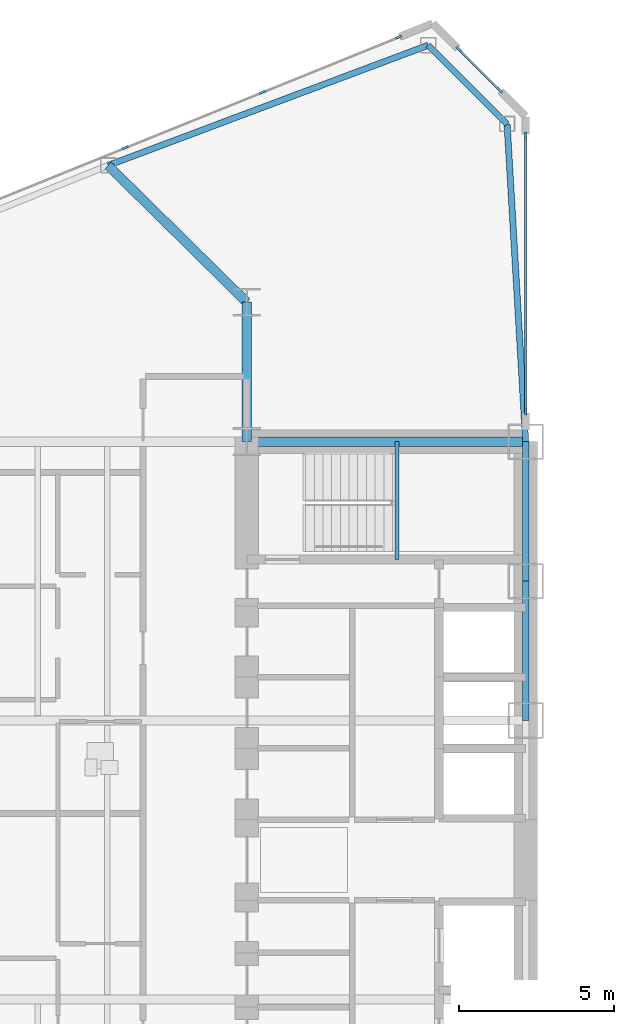
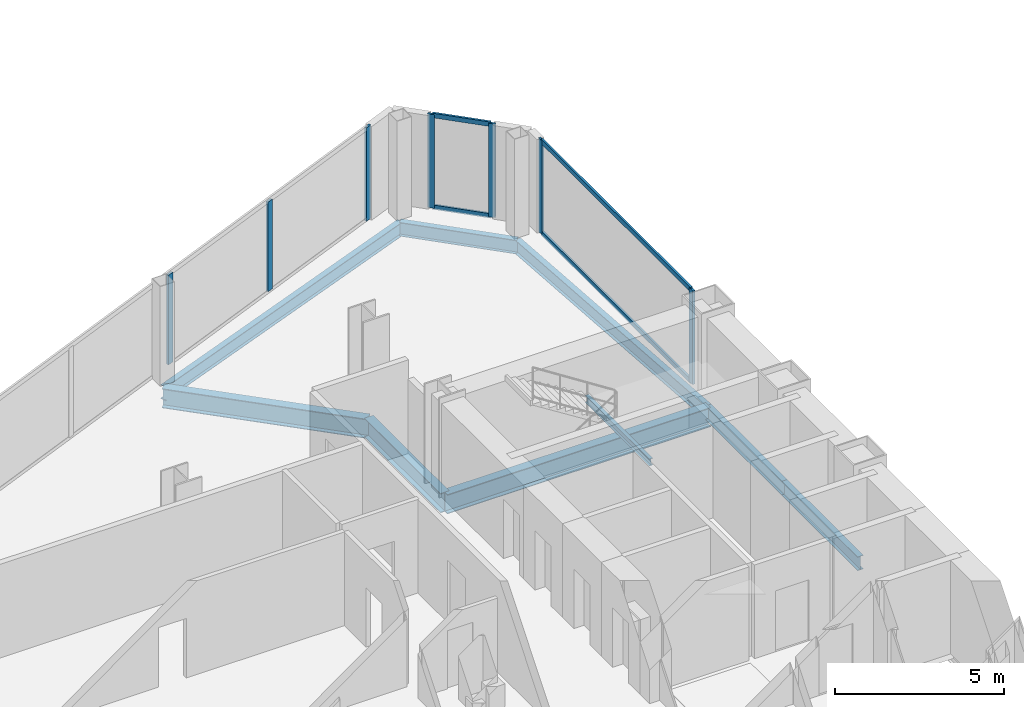
# One storey, part 8 of 25: 11 members, 9 beams, 3 elements without a shape of their own.
"""IFC4 building model written with IfcOpenShell, lengths in metres."""

import ifcopenshell
import ifcopenshell.guid

model = None  # the IFC model being written
_history = None  # IfcOwnerHistory: only IFC2X3 demands one
_inside = {}  # id of a spatial element -> (the spatial element, [elements in it])
_under = {}  # id of a project, library or spatial element -> (it, [spatial elements below it])
_declared = {}  # id of a project -> (the project, [libraries it declares])
_typed = {}  # id of a type object -> (the type object, [elements of that type])
_made_of = {}  # id of a material, layer set ... -> (it, [elements and type objects made of it])


def new_model(schema):
    """Start an empty IFC model of exactly this schema.

    Asked for "IFC4X3", IfcOpenShell would pick the latest addendum, in which some entities
    have other attributes; the version numbers below select the first issue.
    IFC2X3 requires an IfcOwnerHistory on every rooted entity: one is made here for all.
    """
    global model, _history
    if schema == "IFC4X3":
        model = ifcopenshell.file(schema_version=(4, 3, 0, 0))
    else:
        model = ifcopenshell.file(schema=schema)
    _inside.clear()
    _under.clear()
    _declared.clear()
    _typed.clear()
    _made_of.clear()
    _history = None
    if model.schema == "IFC2X3":
        org = make("IfcOrganization", Name="unknown")
        user = make(
            "IfcPersonAndOrganization",
            ThePerson=make("IfcPerson", FamilyName="unknown"),
            TheOrganization=org,
        )
        app = make(
            "IfcApplication",
            ApplicationDeveloper=org,
            Version="unknown",
            ApplicationFullName="unknown",
            ApplicationIdentifier="unknown",
        )
        _history = make(
            "IfcOwnerHistory",
            OwningUser=user,
            OwningApplication=app,
            ChangeAction="ADDED",
            CreationDate=0,
        )
    return model


def make(cls, **values):
    """One entity of the class cls with the attributes given. An attribute that is None is left unset."""
    return model.create_entity(
        cls, **{name: value for name, value in values.items() if value is not None}
    )


def rooted(cls, **values):
    """An entity with a GlobalId (a new one), such as an element, a storey or a relation."""
    return make(cls, GlobalId=ifcopenshell.guid.new(), OwnerHistory=_history, **values)


def si_unit(unit_type, name, prefix=None):
    """IfcSIUnit, for example si_unit("LENGTHUNIT", "METRE", prefix="MILLI")."""
    return make("IfcSIUnit", UnitType=unit_type, Prefix=prefix, Name=name)


def assignment(units):
    """IfcUnitAssignment: the units of a project."""
    return None if units is None else make("IfcUnitAssignment", Units=units)


def point(xyz):
    """IfcCartesianPoint."""
    return None if xyz is None else make("IfcCartesianPoint", Coordinates=xyz)


def direction(xyz):
    """IfcDirection."""
    return None if xyz is None else make("IfcDirection", DirectionRatios=xyz)


def frame(location, z_axis=None, x_axis=None):
    """IfcAxis2Placement3D, a coordinate frame: its origin and axes. An axis left out is left unset."""
    return make(
        "IfcAxis2Placement3D",
        Location=point(location),
        Axis=direction(z_axis),
        RefDirection=direction(x_axis),
    )


def frame_2d(location, x_axis=None):
    """IfcAxis2Placement2D, a coordinate frame in the plane: its origin and x axis."""
    return make(
        "IfcAxis2Placement2D", Location=point(location), RefDirection=direction(x_axis)
    )


def origin():
    """The frame at (0, 0, 0) with its axes left unset."""
    return frame((0.0, 0.0, 0.0))


def origin_2d():
    """The frame at (0, 0) in the plane with its x axis left unset."""
    return frame_2d((0.0, 0.0))


def place(relative_to, where):
    """IfcLocalPlacement: puts the frame where relative to a parent placement (None: the world)."""
    return make(
        "IfcLocalPlacement", PlacementRelTo=relative_to, RelativePlacement=where
    )


def context(
    kind, dimensions, precision=None, world=None, true_north=None, identifier=None
):
    """IfcGeometricRepresentationContext, for example the 3D "Model" context."""
    return make(
        "IfcGeometricRepresentationContext",
        ContextIdentifier=identifier,
        ContextType=kind,
        CoordinateSpaceDimension=dimensions,
        Precision=precision,
        WorldCoordinateSystem=world,
        TrueNorth=true_north,
    )


def subcontext(parent, identifier, kind, view, scale=None):
    """IfcGeometricRepresentationSubContext, for example "Body" below "Model"."""
    return make(
        "IfcGeometricRepresentationSubContext",
        ContextIdentifier=identifier,
        ContextType=kind,
        ParentContext=parent,
        TargetScale=scale,
        TargetView=view,
    )


def project(units=None, contexts=None):
    """IfcProject with its units and contexts."""
    return rooted(
        "IfcProject",
        Name="project",
        RepresentationContexts=contexts,
        UnitsInContext=assignment(units),
    )


def spatial(cls, under=None, at=None, **own):
    """A site, building, storey or space (cls), placed at a placement, below another one or the project."""
    s = rooted(cls, ObjectPlacement=at, **own)
    if under is not None:
        _under.setdefault(under.id(), (under, []))[1].append(s)
    return s


def profile(cls, at=None, kind="AREA", **sizes):
    """A parametric profile (cls). Its sizes go by their IFC names, for example OverallWidth=200.0."""
    return make(cls, ProfileType=kind, Position=at, **sizes)


def rectangle(**sizes):
    """IfcRectangleProfileDef."""
    return profile("IfcRectangleProfileDef", **sizes)


def i_section(**sizes):
    """IfcIShapeProfileDef."""
    return profile("IfcIShapeProfileDef", **sizes)


def extrude(swept, where, along, depth):
    """IfcExtrudedAreaSolid: the profile swept, set in the frame where, extruded along a direction by depth."""
    return make(
        "IfcExtrudedAreaSolid",
        SweptArea=swept,
        Position=where,
        ExtrudedDirection=direction(along),
        Depth=depth,
    )


def shape(context_of_items, identifier, shape_type, items):
    """IfcShapeRepresentation: the items that make up one representation, for example the "Body"."""
    return make(
        "IfcShapeRepresentation",
        ContextOfItems=context_of_items,
        RepresentationIdentifier=identifier,
        RepresentationType=shape_type,
        Items=items,
    )


def source(mapping_origin, context_of_items, identifier, shape_type, items):
    """IfcRepresentationMap: a shape defined once, which mapped items show again and again."""
    return make(
        "IfcRepresentationMap",
        MappingOrigin=mapping_origin,
        MappedRepresentation=shape(context_of_items, identifier, shape_type, items),
    )


def transform(
    local_origin,
    x_axis=None,
    y_axis=None,
    z_axis=None,
    scale=None,
    scale2=None,
    scale3=None,
    uniform=True,
):
    """IfcCartesianTransformationOperator3D, or its non-uniform kind. x_axis, y_axis, z_axis: its Axis1, 2, 3."""
    if uniform:
        return make(
            "IfcCartesianTransformationOperator3D",
            Axis1=direction(x_axis),
            Axis2=direction(y_axis),
            LocalOrigin=point(local_origin),
            Scale=scale,
            Axis3=direction(z_axis),
        )
    return make(
        "IfcCartesianTransformationOperator3DnonUniform",
        Axis1=direction(x_axis),
        Axis2=direction(y_axis),
        LocalOrigin=point(local_origin),
        Scale=scale,
        Axis3=direction(z_axis),
        Scale2=scale2,
        Scale3=scale3,
    )


def mapped(mapping_source, mapping_target):
    """IfcMappedItem: shows the shape of a source again, moved by a transform."""
    return make(
        "IfcMappedItem", MappingSource=mapping_source, MappingTarget=mapping_target
    )


def material(Name=None, Category=None):
    """IfcMaterial."""
    return make("IfcMaterial", Name=Name, Category=Category)


def layer(
    of_material, thickness, ventilated=None, Name=None, Category=None, Priority=None
):
    """IfcMaterialLayer: one layer of a wall or slab, of a material (None: an air gap)."""
    return make(
        "IfcMaterialLayer",
        Material=of_material,
        LayerThickness=thickness,
        IsVentilated=ventilated,
        Name=Name,
        Category=Category,
        Priority=Priority,
    )


def layer_set(layers, Name=None):
    """IfcMaterialLayerSet."""
    return make("IfcMaterialLayerSet", MaterialLayers=layers, LayerSetName=Name)


def material_profile(
    of_material, cross_section, Name=None, Category=None, Priority=None
):
    """IfcMaterialProfile: a cross section and its material."""
    return make(
        "IfcMaterialProfile",
        Name=Name,
        Material=of_material,
        Profile=cross_section,
        Priority=Priority,
        Category=Category,
    )


def profile_set(profiles, Name=None, composite=None):
    """IfcMaterialProfileSet."""
    return make(
        "IfcMaterialProfileSet",
        Name=Name,
        MaterialProfiles=profiles,
        CompositeProfile=composite,
    )


def made_of(thing, what):
    """Note that an element or type object is made of a material, layer set ...; save() writes the relation."""
    if what is not None:
        _made_of.setdefault(what.id(), (what, []))[1].append(thing)
    return thing


def type_object(cls, material=None, **own):
    """A type object (cls), such as IfcWallType, which elements share."""
    return made_of(rooted(cls, **own), material)


def type_shapes(of_type, sources):
    """Give a type object the sources (RepresentationMaps) that its elements show as mapped items."""
    of_type.RepresentationMaps = sources


def element(
    cls,
    number,
    at=None,
    inside=None,
    cuts=None,
    type_object=None,
    material=None,
    context=None,
    identifier="Body",
    shape_type=None,
    held_by="IfcProductDefinitionShape",
    body=None,
    shapes=None,
    **own,
):
    """One element of the class cls, such as IfcWall. Its Tag is "e" and its number.

    at: its placement. inside: the storey or other place that contains it. cuts: it is an
    opening in that element (IfcRelVoidsElement). A single representation is given by context,
    identifier, shape_type and body (its items); several are given by shapes. held_by: the class
    of the entity that holds the representations. save() writes the other relations.
    """
    e = rooted(cls, Tag="e%d" % number, ObjectPlacement=at, **own)
    if body is not None:
        shapes = [shape(context, identifier, shape_type, body)]
    if shapes is not None:
        e.Representation = make(held_by, Representations=shapes)
    if inside is not None:
        _inside.setdefault(inside.id(), (inside, []))[1].append(e)
    if cuts is not None:
        rooted(
            "IfcRelVoidsElement", RelatingBuildingElement=cuts, RelatedOpeningElement=e
        )
    if type_object is not None:
        _typed.setdefault(type_object.id(), (type_object, []))[1].append(e)
    return made_of(e, material)


def aggregate(whole, parts):
    """IfcRelAggregates: a whole, such as a stair, and the parts it consists of."""
    return rooted("IfcRelAggregates", RelatingObject=whole, RelatedObjects=parts)


def save(model, path):
    """Write the relations noted so far, then the file.

    IfcRelAggregates (storeys below a building ...), IfcRelContainedInSpatialStructure (elements
    in a storey), IfcRelDefinesByType, IfcRelAssociatesMaterial and IfcRelDeclares: one each for
    every whole, place, type object, material and project.
    """
    for whole, parts in _under.values():
        aggregate(whole, parts)
    for where, things in _inside.values():
        rooted(
            "IfcRelContainedInSpatialStructure",
            RelatedElements=things,
            RelatingStructure=where,
        )
    for kind, things in _typed.values():
        rooted("IfcRelDefinesByType", RelatedObjects=things, RelatingType=kind)
    for what, things in _made_of.values():
        rooted("IfcRelAssociatesMaterial", RelatedObjects=things, RelatingMaterial=what)
    for by, libraries in _declared.values():
        rooted("IfcRelDeclares", RelatingContext=by, RelatedDefinitions=libraries)
    model.write(path)


model = new_model("IFC4")

# Units and contexts
model_context = context("Model", 3, precision=1e-05, world=origin(), true_north=direction((0.0, 1.0)))
body_context = subcontext(model_context, "Body", "Model", "MODEL_VIEW")
ifc_project = project(units=[si_unit("LENGTHUNIT", "METRE"), si_unit("AREAUNIT", "SQUARE_METRE"), si_unit("VOLUMEUNIT", "CUBIC_METRE"), si_unit("PLANEANGLEUNIT", "RADIAN"), si_unit("MASSUNIT", "GRAM", prefix="KILO")], contexts=[model_context])

# Site, building, storey
site_placement = place(None, origin())
site = spatial("IfcSite", under=ifc_project, at=site_placement, CompositionType="ELEMENT")
building_placement = place(site_placement, origin())
building = spatial("IfcBuilding", under=site, at=building_placement, Name="Seokmaru Belvedere", CompositionType="ELEMENT")
storey_placement = place(building_placement, frame((0.0, 0.0, 54.89990234375)))
storey = spatial("IfcBuildingStorey", under=building, at=storey_placement, Name="L14", CompositionType="ELEMENT", Elevation=54.89990234375)

# Beams
ifc_material_1 = material(Name="Steel SM355 (355 MPa)", Category="steel")
ifc_material_profile_1 = material_profile(ifc_material_1, i_section(OverallWidth=0.199951171875, OverallDepth=0.5, WebThickness=0.010009765625, FlangeThickness=0.01611328125, at=origin_2d()), Name="H-500x200x10x16")
ifc_profile_set_1 = profile_set([ifc_material_profile_1], Name="Steel SM355 (355 MPa)")
beam_type_1 = type_object("IfcBeamType", Name="Perimeter Spandrel Beam H-500", PredefinedType="SPANDREL", material=ifc_profile_set_1)
shared_shape_1 = source(origin(), body_context, "Body", "SweptSolid", [
    extrude(i_section(OverallWidth=0.199951171875, OverallDepth=0.5, WebThickness=0.010009765625, FlangeThickness=0.01611328125, at=origin_2d()), origin(), (0.0, 0.0, 1.0), 4.5),
])
for number, where, z_axis, x_axis, name in (
    (1, (-27.5, 4.5, -0.469970703125), (0.0, 1.0, 0.0), (-1.0, 0.0, 0.0), "L14 W Portal Spine Spandrel 4"),
    (2, (-27.5, 9.0, -0.469970703125), (0.0, 1.0, 0.0), (-1.0, 0.0, 0.0), "L14 W Portal Spine Spandrel 5"),
):
    element("IfcBeam", number, at=place(storey_placement, frame(where, z_axis=z_axis, x_axis=x_axis)), inside=storey, type_object=beam_type_1, Name=name, PredefinedType="SPANDREL", context=body_context, shape_type="MappedRepresentation", body=[
        mapped(shared_shape_1, transform((0.0, 0.0, 0.0), scale=1.0)),
    ])
ifc_material_profile_2 = material_profile(ifc_material_1, i_section(OverallWidth=0.300048828125, OverallDepth=0.699951171875, WebThickness=0.012939453125, FlangeThickness=0.02392578125, at=origin_2d()), Name="H-700x300x13x24")
ifc_profile_set_2 = profile_set([ifc_material_profile_2], Name="Steel SM355 (355 MPa)")
beam_type_2 = type_object("IfcBeamType", Name="Primary Floor Girder H-700", PredefinedType="BEAM", material=ifc_profile_set_2)
shared_shape_2 = source(origin(), body_context, "Body", "SweptSolid", [
    extrude(i_section(OverallWidth=0.300048828125, OverallDepth=0.699951171875, WebThickness=0.012939453125, FlangeThickness=0.02392578125, at=origin_2d()), origin(), (0.0, 0.0, 1.0), 4.5),
])
beam_1_placement = place(storey_placement, frame((-36.5, 13.5, -0.56982421875), z_axis=(0.0, 1.0, 0.0), x_axis=(-1.0, 0.0, 0.0)))
element("IfcBeam", 3, at=beam_1_placement, inside=storey, type_object=beam_type_2, Name="L14 W Core Shoulder Girder N", PredefinedType="BEAM", context=body_context, shape_type="MappedRepresentation", body=[
    mapped(shared_shape_2, transform((0.0, 0.0, 0.0), scale=1.0)),
])
shared_shape_3 = source(origin(), body_context, "Body", "SweptSolid", [
    extrude(i_section(OverallWidth=0.300048828125, OverallDepth=0.699951171875, WebThickness=0.012939453125, FlangeThickness=0.02392578125, at=origin_2d()), origin(), (0.0, 0.0, 1.0), 9.0),
])
beam_2_placement = place(storey_placement, frame((-36.5, 13.5, -0.56982421875), z_axis=(1.0, 0.0, 0.0), x_axis=(0.0, 1.0, 0.0)))
element("IfcBeam", 4, at=beam_2_placement, inside=storey, type_object=beam_type_2, Name="L14 W Core Tie Girder 4", PredefinedType="BEAM", context=body_context, shape_type="MappedRepresentation", body=[
    mapped(shared_shape_3, transform((0.0, 0.0, 0.0), scale=1.0)),
])
shared_shape_4 = source(origin(), body_context, "Body", "SweptSolid", [
    extrude(i_section(OverallWidth=0.199951171875, OverallDepth=0.5, WebThickness=0.010009765625, FlangeThickness=0.01611328125, at=origin_2d()), origin(), (0.0, 0.0, 1.0), 11.03857421875),
])
beam_3_placement = place(storey_placement, frame((-30.643310546875, 26.294677734375, -0.469970703125), z_axis=(-0.936169110734, -0.351549990907, 0.0), x_axis=(0.351549990907, -0.936169110734, 0.0)))
element("IfcBeam", 5, at=beam_3_placement, inside=storey, type_object=beam_type_1, Name="L14 W Faceted Flank Spandrel N-1", PredefinedType="SPANDREL", context=body_context, shape_type="MappedRepresentation", body=[
    mapped(shared_shape_4, transform((0.0, 0.0, 0.0), scale=1.0)),
])
shared_shape_5 = source(origin(), body_context, "Body", "SweptSolid", [
    extrude(i_section(OverallWidth=0.199951171875, OverallDepth=0.5, WebThickness=0.010009765625, FlangeThickness=0.01611328125, at=origin_2d()), origin(), (0.0, 0.0, 1.0), 3.5966796875),
])
beam_4_placement = place(storey_placement, frame((-30.643310546875, 26.294677734375, -0.469970703125), z_axis=(0.707106781187, -0.707106781187, 0.0), x_axis=(0.707106781187, 0.707106781187, 0.0)))
element("IfcBeam", 6, at=beam_4_placement, inside=storey, type_object=beam_type_1, Name="L14 W Shoulder Chamfer Spandrel N", PredefinedType="SPANDREL", context=body_context, shape_type="MappedRepresentation", body=[
    mapped(shared_shape_5, transform((0.0, 0.0, 0.0), scale=1.0)),
])
shared_shape_6 = source(origin(), body_context, "Body", "SweptSolid", [
    extrude(i_section(OverallWidth=0.199951171875, OverallDepth=0.5, WebThickness=0.010009765625, FlangeThickness=0.01611328125, at=origin_2d()), origin(), (0.0, 0.0, 1.0), 10.26904296875),
])
type_shapes(beam_type_1, [shared_shape_1, shared_shape_4, shared_shape_5, shared_shape_6])
beam_5_placement = place(storey_placement, frame((-28.10009765625, 23.75146484375, -0.469970703125), z_axis=(0.058437709399, -0.998291056817, 0.0), x_axis=(0.998291056817, 0.058437709399, 0.0)))
element("IfcBeam", 7, at=beam_5_placement, inside=storey, type_object=beam_type_1, Name="L14 W Shoulder Spine Spandrel N", PredefinedType="SPANDREL", context=body_context, shape_type="MappedRepresentation", body=[
    mapped(shared_shape_6, transform((0.0, 0.0, 0.0), scale=1.0)),
])
shared_shape_7 = source(origin(), body_context, "Body", "SweptSolid", [
    extrude(i_section(OverallWidth=0.300048828125, OverallDepth=0.699951171875, WebThickness=0.012939453125, FlangeThickness=0.02392578125, at=origin_2d()), origin(), (0.0, 0.0, 1.0), 6.287353515625),
])
type_shapes(beam_type_2, [shared_shape_2, shared_shape_3, shared_shape_7])
beam_6_placement = place(storey_placement, frame((-40.977294921875, 22.4140625, -0.56982421875), z_axis=(0.712117485263, -0.702060315915, 0.0), x_axis=(0.702060315915, 0.712117485263, 0.0)))
element("IfcBeam", 8, at=beam_6_placement, inside=storey, type_object=beam_type_2, Name="L14 W Flank Radial Floor Girder N-1", PredefinedType="BEAM", context=body_context, shape_type="MappedRepresentation", body=[
    mapped(shared_shape_7, transform((0.0, 0.0, 0.0), scale=1.0)),
])

# Curtain wall, members
ifc_material_2 = material(Name="Bronze Triple Insulating Glass", Category="glass")
ifc_layer = layer(ifc_material_2, 0.2099609375)
ifc_layer_set = layer_set([ifc_layer], Name="Bronze Triple Insulating Glass")
curtain_wall_type = type_object("IfcCurtainWallType", Name="Low-Rise Faceted Crystal Curtain Wall System CW-2", PredefinedType="NOTDEFINED", material=ifc_layer_set)
curtain_wall_1_placement = place(storey_placement, origin())
curtain_wall_1 = element("IfcCurtainWall", 9, at=curtain_wall_1_placement, inside=storey, type_object=curtain_wall_type, Name="L14 Curtain Wall WSP_2", PredefinedType="NOTDEFINED")
ifc_material_3 = material(Name="Anodised Bronze Aluminium", Category="aluminium")
ifc_material_profile_3 = material_profile(ifc_material_3, rectangle(XDim=0.074951171875, YDim=0.2099609375, at=origin_2d()), Name="CW-M-75x210")
ifc_profile_set_3 = profile_set([ifc_material_profile_3], Name="Anodised Bronze Aluminium")
member_type_1 = type_object("IfcMemberType", Name="Bronze Unitised Mullion 75x210", PredefinedType="MULLION", material=ifc_profile_set_3)
shared_shape_8 = source(origin(), body_context, "Body", "SweptSolid", [
    extrude(rectangle(XDim=0.074951171875, YDim=0.2099609375, at=origin_2d()), origin(), (0.0, 0.0, 1.0), 3.380126953125),
])
member_1_placement = place(storey_placement, frame((-27.5, 14.467529296875, 0.0), z_axis=(0.0, 0.0, 1.0), x_axis=(-1.0, 0.0, 0.0)))
member_1 = element("IfcMember", 10, at=member_1_placement, type_object=member_type_1, Name="CW:L14:WSP_2 Mullion 1", PredefinedType="MULLION", context=body_context, shape_type="MappedRepresentation", body=[
    mapped(shared_shape_8, transform((0.0, 0.0, 0.0), scale=1.0)),
])
member_2_placement = place(storey_placement, frame((-27.5, 23.392578125, 0.0), z_axis=(0.0, 0.0, 1.0), x_axis=(-1.0, 0.0, 0.0)))
member_2 = element("IfcMember", 11, at=member_2_placement, type_object=member_type_1, Name="CW:L14:WSP_2 Mullion 2", PredefinedType="MULLION", context=body_context, shape_type="MappedRepresentation", body=[
    mapped(shared_shape_8, transform((0.0, 0.0, 0.0), scale=1.0)),
])

curtain_wall_2_placement = place(storey_placement, origin())
curtain_wall_2 = element("IfcCurtainWall", 12, at=curtain_wall_2_placement, inside=storey, type_object=curtain_wall_type, Name="L14 Curtain Wall WF2", PredefinedType="NOTDEFINED")
member_3_placement = place(storey_placement, frame((-28.339599609375, 24.839599609375, 0.0), z_axis=(0.0, 0.0, 1.0), x_axis=(-0.707106781187, -0.707106781187, 0.0)))
member_3 = element("IfcMember", 13, at=member_3_placement, type_object=member_type_1, Name="CW:L14:WF2 Mullion 1", PredefinedType="MULLION", context=body_context, shape_type="MappedRepresentation", body=[
    mapped(shared_shape_8, transform((0.0, 0.0, 0.0), scale=1.0)),
])
member_4_placement = place(storey_placement, frame((-29.660400390625, 26.160400390625, 0.0), z_axis=(0.0, 0.0, 1.0), x_axis=(-0.707106781187, -0.707106781187, 0.0)))
member_4 = element("IfcMember", 14, at=member_4_placement, type_object=member_type_1, Name="CW:L14:WF2 Mullion 2", PredefinedType="MULLION", context=body_context, shape_type="MappedRepresentation", body=[
    mapped(shared_shape_8, transform((0.0, 0.0, 0.0), scale=1.0)),
])

# Curtain wall, member
curtain_wall_3_placement = place(storey_placement, origin())
curtain_wall_3 = element("IfcCurtainWall", 15, at=curtain_wall_3_placement, inside=storey, type_object=curtain_wall_type, Name="L14 Curtain Wall WF3", PredefinedType="NOTDEFINED")
member_5_placement = place(storey_placement, frame((-31.600830078125, 26.554443359375, 0.0), z_axis=(0.0, 0.0, 1.0), x_axis=(0.375192321888, -0.926946989637, 0.0)))
member_5 = element("IfcMember", 16, at=member_5_placement, type_object=member_type_1, Name="CW:L14:WF3 Mullion 1", PredefinedType="MULLION", context=body_context, shape_type="MappedRepresentation", body=[
    mapped(shared_shape_8, transform((0.0, 0.0, 0.0), scale=1.0)),
])

# Member
ifc_material_profile_4 = material_profile(ifc_material_3, rectangle(XDim=0.070068359375, YDim=0.1650390625, at=origin_2d()), Name="CW-T-70x165")
ifc_profile_set_4 = profile_set([ifc_material_profile_4], Name="Anodised Bronze Aluminium")
member_type_2 = type_object("IfcMemberType", Name="Bronze Unitised Transom 70x165", PredefinedType="USERDEFINED", material=ifc_profile_set_4)
shared_shape_9 = source(origin(), body_context, "Body", "SweptSolid", [
    extrude(rectangle(XDim=0.070068359375, YDim=0.1650390625, at=origin_2d()), origin(), (0.0, 0.0, 1.0), 8.85009765625),
])
member_6_placement = place(storey_placement, frame((-27.5, 14.5048828125, 0.03515625), z_axis=(0.0, 1.0, 0.0), x_axis=(-1.0, 0.0, 0.0)))
member_6 = element("IfcMember", 17, at=member_6_placement, type_object=member_type_2, Name="CW:L14:WSP_2 Continuous Transom 1", ObjectType="TRANSOM", PredefinedType="USERDEFINED", context=body_context, shape_type="MappedRepresentation", body=[
    mapped(shared_shape_9, transform((0.0, 0.0, 0.0), scale=1.0)),
])

member_7_placement = place(storey_placement, frame((-27.5, 14.5048828125, 3.34521484375), z_axis=(0.0, 1.0, 0.0), x_axis=(-1.0, 0.0, 0.0)))
member_7 = element("IfcMember", 18, at=member_7_placement, type_object=member_type_2, Name="CW:L14:WSP_2 Continuous Transom 2", ObjectType="TRANSOM", PredefinedType="USERDEFINED", context=body_context, shape_type="MappedRepresentation", body=[
    mapped(shared_shape_9, transform((0.0, 0.0, 0.0), scale=1.0)),
])

aggregate(curtain_wall_1, [member_1, member_2, member_6, member_7])

shared_shape_10 = source(origin(), body_context, "Body", "SweptSolid", [
    extrude(rectangle(XDim=0.070068359375, YDim=0.1650390625, at=origin_2d()), origin(), (0.0, 0.0, 1.0), 1.792724609375),
])
type_shapes(member_type_2, [shared_shape_9, shared_shape_10])
member_8_placement = place(storey_placement, frame((-28.3662109375, 24.8662109375, 0.03515625), z_axis=(-0.707106781187, 0.707106781187, 0.0), x_axis=(-0.707106781187, -0.707106781187, 0.0)))
member_8 = element("IfcMember", 19, at=member_8_placement, type_object=member_type_2, Name="CW:L14:WF2 Continuous Transom 1", ObjectType="TRANSOM", PredefinedType="USERDEFINED", context=body_context, shape_type="MappedRepresentation", body=[
    mapped(shared_shape_10, transform((0.0, 0.0, 0.0), scale=1.0)),
])

member_9_placement = place(storey_placement, frame((-28.3662109375, 24.8662109375, 3.34521484375), z_axis=(-0.707106781187, 0.707106781187, 0.0), x_axis=(-0.707106781187, -0.707106781187, 0.0)))
member_9 = element("IfcMember", 20, at=member_9_placement, type_object=member_type_2, Name="CW:L14:WF2 Continuous Transom 2", ObjectType="TRANSOM", PredefinedType="USERDEFINED", context=body_context, shape_type="MappedRepresentation", body=[
    mapped(shared_shape_10, transform((0.0, 0.0, 0.0), scale=1.0)),
])

aggregate(curtain_wall_2, [member_3, member_4, member_8, member_9])

shared_shape_11 = source(origin(), body_context, "Body", "SweptSolid", [
    extrude(rectangle(XDim=0.074951171875, YDim=0.2099609375, at=origin_2d()), origin(), (0.0, 0.0, 1.0), 3.239990234375),
])
type_shapes(member_type_1, [shared_shape_8, shared_shape_11])
member_10_placement = place(storey_placement, frame((-35.995849609375, 24.775390625, 0.070068359375), z_axis=(0.0, 0.0, 1.0), x_axis=(0.375192321888, -0.926946989637, 0.0)))
member_10 = element("IfcMember", 21, at=member_10_placement, type_object=member_type_1, Name="CW:L14:WF3 Mullion 2", PredefinedType="MULLION", context=body_context, shape_type="MappedRepresentation", body=[
    mapped(shared_shape_11, transform((0.0, 0.0, 0.0), scale=1.0)),
])

member_11_placement = place(storey_placement, frame((-40.425537109375, 22.982421875, 0.070068359375), z_axis=(0.0, 0.0, 1.0), x_axis=(0.375192321888, -0.926946989637, 0.0)))
member_11 = element("IfcMember", 22, at=member_11_placement, type_object=member_type_1, Name="CW:L14:WF3 Mullion 3", PredefinedType="MULLION", context=body_context, shape_type="MappedRepresentation", body=[
    mapped(shared_shape_11, transform((0.0, 0.0, 0.0), scale=1.0)),
])

aggregate(curtain_wall_3, [member_5, member_10, member_11])

# Beam
ifc_material_profile_5 = material_profile(ifc_material_1, i_section(OverallWidth=0.125, OverallDepth=0.25, WebThickness=0.006103515625, FlangeThickness=0.009033203125, at=origin_2d()), Name="H-250x125x6x9")
ifc_profile_set_5 = profile_set([ifc_material_profile_5], Name="Steel SM355 (355 MPa)")
beam_type_3 = type_object("IfcBeamType", Name="Stair Mid-Landing Support Beam H-250", PredefinedType="JOIST", material=ifc_profile_set_5)
shared_shape_12 = source(origin(), body_context, "Body", "SweptSolid", [
    extrude(i_section(OverallWidth=0.125, OverallDepth=0.25, WebThickness=0.006103515625, FlangeThickness=0.009033203125, at=origin_2d()), origin(), (0.0, 0.0, 1.0), 3.800048828125),
])
type_shapes(beam_type_3, [shared_shape_12])
beam_7_placement = place(storey_placement, frame((-31.64990234375, 9.699951171875, 1.47509765625), z_axis=(0.0, 1.0, 0.0), x_axis=(-1.0, 0.0, 0.0)))
element("IfcBeam", 23, at=beam_7_placement, inside=storey, type_object=beam_type_3, Name="L14 Stair ST-W2 Mid-Landing Support Beam 1", PredefinedType="JOIST", context=body_context, shape_type="MappedRepresentation", body=[
    mapped(shared_shape_12, transform((0.0, 0.0, 0.0), scale=1.0)),
])

save(model, "model.ifc")
